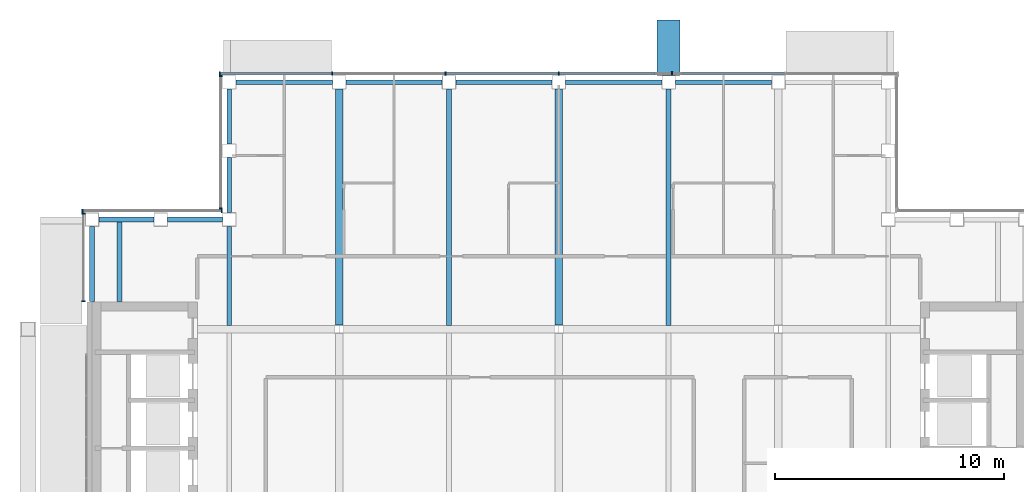
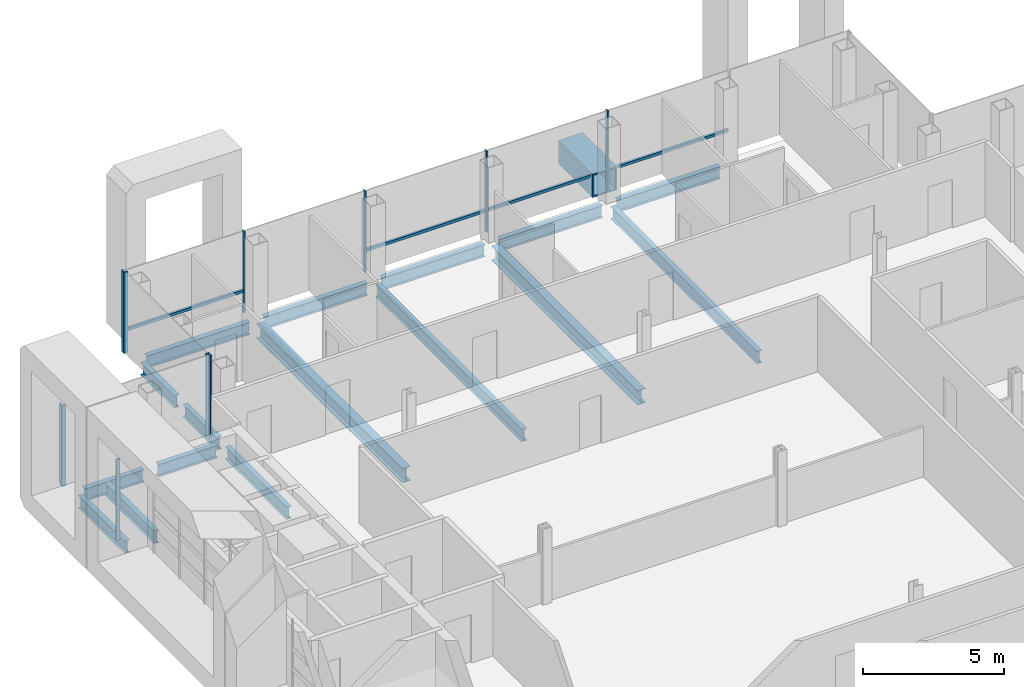
# One storey, part 9 of 23: 17 beams, 15 members, 4 elements without a shape of their own.
"""IFC4 building model written with IfcOpenShell, lengths in metres."""

from ifc_helpers import new_model, si_unit, direction, frame, origin, origin_2d, place, context, subcontext, project, spatial, rectangle, hollow_rectangle, i_section, extrude, material, material_profile, profile_set, type_object, element, aggregate, save


model = new_model("IFC4")

# Units and contexts
model_context = context("Model", 3, precision=1e-05, world=origin(), true_north=direction((0.0, 1.0)))
body_context = subcontext(model_context, "Body", "Model", "MODEL_VIEW")
ifc_project = project(units=[si_unit("LENGTHUNIT", "METRE"), si_unit("AREAUNIT", "SQUARE_METRE"), si_unit("VOLUMEUNIT", "CUBIC_METRE"), si_unit("PLANEANGLEUNIT", "RADIAN"), si_unit("MASSUNIT", "GRAM", prefix="KILO")], contexts=[model_context])

# Site, building, storey
site_placement = place(None, origin())
site = spatial("IfcSite", under=ifc_project, at=site_placement, CompositionType="ELEMENT")
building_placement = place(site_placement, origin())
building = spatial("IfcBuilding", under=site, at=building_placement, Name="Cobrizo Arcos Hotel Tower", CompositionType="ELEMENT")
storey_placement = place(building_placement, frame((0.0, 0.0, 262.0)))
storey = spatial("IfcBuildingStorey", under=building, at=storey_placement, Name="L69", CompositionType="ELEMENT", Elevation=262.0)

# Beam
ifc_material_1 = material(Name="Steel ASTM A572 Grade 50", Category="steel")
ifc_material_profile_1 = material_profile(ifc_material_1, hollow_rectangle(XDim=1.0, YDim=1.0, WallThickness=0.06005859375, at=origin_2d()), Name="BOX 1000X1000X60")
ifc_profile_set_1 = profile_set([ifc_material_profile_1], Name="Steel ASTM A572 Grade 50")
beam_type_1 = type_object("IfcBeamType", Name="BOX 1000X1000X60 brace connector strut", PredefinedType="BEAM", material=ifc_profile_set_1)
beam_1_placement = place(storey_placement, frame((4.800048828125, 20.68994140625, 0.5), z_axis=(0.0, 1.0, 0.0), x_axis=(-1.0, 0.0, 0.0)))
element("IfcBeam", 1, at=beam_1_placement, inside=storey, type_object=beam_type_1, Name="Perimeter brace stub BS1, zone Z5, north face, offset +4.80 m, L69", PredefinedType="BEAM", context=body_context, shape_type="SweptSolid", body=[
    extrude(hollow_rectangle(XDim=1.0, YDim=1.0, WallThickness=0.06005859375, at=origin_2d()), origin(), (0.0, 0.0, 1.0), 2.43017578125),
])

# Curtain wall, members
ifc_material_2 = material(Name="Aluminium 6063-T6 anodised bronze", Category="aluminium")
curtain_wall_type = type_object("IfcCurtainWallType", Name="CW-A guest facade", PredefinedType="NOTDEFINED", material=ifc_material_2)
curtain_wall_1_placement = place(storey_placement, origin())
curtain_wall_1 = element("IfcCurtainWall", 2, at=curtain_wall_1_placement, inside=storey, type_object=curtain_wall_type, Name="CW-A L69 N face", PredefinedType="NOTDEFINED")
ifc_material_profile_2 = material_profile(ifc_material_2, rectangle(XDim=0.14990234375, YDim=0.06005859375, at=origin_2d()), Name="CW-A mullion 150x60")
ifc_profile_set_2 = profile_set([ifc_material_profile_2], Name="Aluminium 6063-T6 anodised bronze")
member_type_1 = type_object("IfcMemberType", Name="CW-A mullion 150x60", PredefinedType="MULLION", material=ifc_profile_set_2)
member_1_placement = place(storey_placement, frame((4.949951171875, 20.77490234375, 0.0), z_axis=(0.0, 0.0, 1.0), x_axis=(0.0, 1.0, 0.0)))
member_1 = element("IfcMember", 3, at=member_1_placement, type_object=member_type_1, Name="CW-A mullion 3", PredefinedType="MULLION", context=body_context, shape_type="SweptSolid", body=[
    extrude(rectangle(XDim=0.14990234375, YDim=0.06005859375, at=origin_2d()), origin(), (0.0, 0.0, 1.0), 3.5),
])
member_2_placement = place(storey_placement, frame((0.0, 20.77490234375, 0.0), z_axis=(0.0, 0.0, 1.0), x_axis=(0.0, 1.0, 0.0)))
member_2 = element("IfcMember", 4, at=member_2_placement, type_object=member_type_1, Name="CW-A mullion 4", PredefinedType="MULLION", context=body_context, shape_type="SweptSolid", body=[
    extrude(rectangle(XDim=0.14990234375, YDim=0.06005859375, at=origin_2d()), origin(), (0.0, 0.0, 1.0), 3.5),
])
member_3_placement = place(storey_placement, frame((-4.949951171875, 20.77490234375, 0.0), z_axis=(0.0, 0.0, 1.0), x_axis=(0.0, 1.0, 0.0)))
member_3 = element("IfcMember", 5, at=member_3_placement, type_object=member_type_1, Name="CW-A mullion 5", PredefinedType="MULLION", context=body_context, shape_type="SweptSolid", body=[
    extrude(rectangle(XDim=0.14990234375, YDim=0.06005859375, at=origin_2d()), origin(), (0.0, 0.0, 1.0), 3.5),
])
member_4_placement = place(storey_placement, frame((-9.89990234375, 20.77490234375, 0.0), z_axis=(0.0, 0.0, 1.0), x_axis=(0.0, 1.0, 0.0)))
member_4 = element("IfcMember", 6, at=member_4_placement, type_object=member_type_1, Name="CW-A mullion 6", PredefinedType="MULLION", context=body_context, shape_type="SweptSolid", body=[
    extrude(rectangle(XDim=0.14990234375, YDim=0.06005859375, at=origin_2d()), origin(), (0.0, 0.0, 1.0), 3.5),
])
member_5_placement = place(storey_placement, frame((-14.820068359375, 20.77490234375, 0.0), z_axis=(0.0, 0.0, 1.0), x_axis=(0.0, 1.0, 0.0)))
member_5 = element("IfcMember", 7, at=member_5_placement, type_object=member_type_1, Name="CW-A mullion 7", PredefinedType="MULLION", context=body_context, shape_type="SweptSolid", body=[
    extrude(rectangle(XDim=0.14990234375, YDim=0.06005859375, at=origin_2d()), origin(), (0.0, 0.0, 1.0), 3.5),
])

curtain_wall_2_placement = place(storey_placement, origin())
curtain_wall_2 = element("IfcCurtainWall", 8, at=curtain_wall_2_placement, inside=storey, type_object=curtain_wall_type, Name="CW-A L69 W face", PredefinedType="NOTDEFINED")
member_6_placement = place(storey_placement, frame((-14.77490234375, 20.669921875, 0.0), z_axis=(0.0, 0.0, 1.0), x_axis=(-1.0, 0.0, 0.0)))
member_6 = element("IfcMember", 9, at=member_6_placement, type_object=member_type_1, Name="CW-A mullion 1", PredefinedType="MULLION", context=body_context, shape_type="SweptSolid", body=[
    extrude(rectangle(XDim=0.14990234375, YDim=0.06005859375, at=origin_2d()), origin(), (0.0, 0.0, 1.0), 3.5),
])
member_7_placement = place(storey_placement, frame((-14.77490234375, 14.8798828125, 0.0), z_axis=(0.0, 0.0, 1.0), x_axis=(-1.0, 0.0, 0.0)))
member_7 = element("IfcMember", 10, at=member_7_placement, type_object=member_type_1, Name="CW-A mullion 2", PredefinedType="MULLION", context=body_context, shape_type="SweptSolid", body=[
    extrude(rectangle(XDim=0.14990234375, YDim=0.06005859375, at=origin_2d()), origin(), (0.0, 0.0, 1.0), 3.5),
])
aggregate(curtain_wall_2, [member_6, member_7])

curtain_wall_3_placement = place(storey_placement, origin())
curtain_wall_3 = element("IfcCurtainWall", 11, at=curtain_wall_3_placement, inside=storey, type_object=curtain_wall_type, Name="CW-A L69 N face", PredefinedType="NOTDEFINED")
member_8_placement = place(storey_placement, frame((-14.72998046875, 14.77490234375, 0.0), z_axis=(0.0, 0.0, 1.0), x_axis=(0.0, 1.0, 0.0)))
member_8 = element("IfcMember", 12, at=member_8_placement, type_object=member_type_1, Name="CW-A mullion 1", PredefinedType="MULLION", context=body_context, shape_type="SweptSolid", body=[
    extrude(rectangle(XDim=0.14990234375, YDim=0.06005859375, at=origin_2d()), origin(), (0.0, 0.0, 1.0), 3.5),
])
member_9_placement = place(storey_placement, frame((-20.820068359375, 14.77490234375, 0.0), z_axis=(0.0, 0.0, 1.0), x_axis=(0.0, 1.0, 0.0)))
member_9 = element("IfcMember", 13, at=member_9_placement, type_object=member_type_1, Name="CW-A mullion 2", PredefinedType="MULLION", context=body_context, shape_type="SweptSolid", body=[
    extrude(rectangle(XDim=0.14990234375, YDim=0.06005859375, at=origin_2d()), origin(), (0.0, 0.0, 1.0), 3.5),
])
aggregate(curtain_wall_3, [member_8, member_9])

curtain_wall_4_placement = place(storey_placement, origin())
curtain_wall_4 = element("IfcCurtainWall", 14, at=curtain_wall_4_placement, inside=storey, type_object=curtain_wall_type, Name="CW-A L69 W face", PredefinedType="NOTDEFINED")
member_10_placement = place(storey_placement, frame((-20.77490234375, 14.669921875, 0.0), z_axis=(0.0, 0.0, 1.0), x_axis=(-1.0, 0.0, 0.0)))
member_10 = element("IfcMember", 15, at=member_10_placement, type_object=member_type_1, Name="CW-A mullion 1", PredefinedType="MULLION", context=body_context, shape_type="SweptSolid", body=[
    extrude(rectangle(XDim=0.14990234375, YDim=0.06005859375, at=origin_2d()), origin(), (0.0, 0.0, 1.0), 3.5),
])
member_11_placement = place(storey_placement, frame((-20.77490234375, 10.830078125, 0.0), z_axis=(0.0, 0.0, 1.0), x_axis=(-1.0, 0.0, 0.0)))
member_11 = element("IfcMember", 16, at=member_11_placement, type_object=member_type_1, Name="CW-A mullion 2", PredefinedType="MULLION", context=body_context, shape_type="SweptSolid", body=[
    extrude(rectangle(XDim=0.14990234375, YDim=0.06005859375, at=origin_2d()), origin(), (0.0, 0.0, 1.0), 3.5),
])
aggregate(curtain_wall_4, [member_10, member_11])

# Member
ifc_material_profile_3 = material_profile(ifc_material_2, rectangle(XDim=0.10009765625, YDim=0.1201171875, at=origin_2d()), Name="CW-A transom 120x100")
ifc_profile_set_3 = profile_set([ifc_material_profile_3], Name="Aluminium 6063-T6 anodised bronze")
member_type_2 = type_object("IfcMemberType", Name="CW-A transom 120x100", PredefinedType="USERDEFINED", material=ifc_profile_set_3)
member_12_placement = place(storey_placement, frame((9.8701171875, 20.77490234375, 0.929931640625), z_axis=(-1.0, 0.0, 0.0), x_axis=(0.0, -1.0, 0.0)))
member_12 = element("IfcMember", 17, at=member_12_placement, type_object=member_type_2, Name="CW-A transom 2169", ObjectType="TRANSOM", PredefinedType="USERDEFINED", context=body_context, shape_type="SweptSolid", body=[
    extrude(rectangle(XDim=0.10009765625, YDim=0.1201171875, at=origin_2d()), origin(), (0.0, 0.0, 1.0), 4.47021484375),
])

member_13_placement = place(storey_placement, frame((4.199951171875, 20.77490234375, 0.929931640625), z_axis=(-1.0, 0.0, 0.0), x_axis=(0.0, -1.0, 0.0)))
member_13 = element("IfcMember", 18, at=member_13_placement, type_object=member_type_2, Name="CW-A transom 2170", ObjectType="TRANSOM", PredefinedType="USERDEFINED", context=body_context, shape_type="SweptSolid", body=[
    extrude(rectangle(XDim=0.10009765625, YDim=0.1201171875, at=origin_2d()), origin(), (0.0, 0.0, 1.0), 4.169921875),
])

member_14_placement = place(storey_placement, frame((-0.030029296875, 20.77490234375, 0.929931640625), z_axis=(-1.0, 0.0, 0.0), x_axis=(0.0, -1.0, 0.0)))
member_14 = element("IfcMember", 19, at=member_14_placement, type_object=member_type_2, Name="CW-A transom 2171", ObjectType="TRANSOM", PredefinedType="USERDEFINED", context=body_context, shape_type="SweptSolid", body=[
    extrude(rectangle(XDim=0.10009765625, YDim=0.1201171875, at=origin_2d()), origin(), (0.0, 0.0, 1.0), 4.889892578125),
])

member_15_placement = place(storey_placement, frame((-9.929931640625, 20.77490234375, 0.929931640625), z_axis=(-1.0, 0.0, 0.0), x_axis=(0.0, -1.0, 0.0)))
member_15 = element("IfcMember", 20, at=member_15_placement, type_object=member_type_2, Name="CW-A transom 2173", ObjectType="TRANSOM", PredefinedType="USERDEFINED", context=body_context, shape_type="SweptSolid", body=[
    extrude(rectangle(XDim=0.10009765625, YDim=0.1201171875, at=origin_2d()), origin(), (0.0, 0.0, 1.0), 4.860107421875),
])

aggregate(curtain_wall_1, [member_1, member_2, member_3, member_4, member_5, member_12, member_13, member_14, member_15])

# Beams
ifc_material_3 = material(Name="Steel ASTM A992 Grade 50", Category="steel")
ifc_material_profile_4 = material_profile(ifc_material_3, i_section(OverallWidth=0.209228515625, OverallDepth=0.533447265625, WebThickness=0.01025390625, FlangeThickness=0.015625, at=origin_2d()), Name="W21X62")
ifc_profile_set_4 = profile_set([ifc_material_profile_4], Name="Steel ASTM A992 Grade 50")
beam_type_2 = type_object("IfcBeamType", Name="W21X62 joist", PredefinedType="JOIST", material=ifc_profile_set_4)
beam_2_placement = place(storey_placement, frame((-19.199951171875, 10.81005859375, -0.416748046875), z_axis=(0.0, 1.0, 0.0), x_axis=(-1.0, 0.0, 0.0)))
element("IfcBeam", 21, at=beam_2_placement, inside=storey, type_object=beam_type_2, Name="Floor joist J1, L69, no. 002", PredefinedType="JOIST", context=body_context, shape_type="SweptSolid", body=[
    extrude(i_section(OverallWidth=0.209228515625, OverallDepth=0.533447265625, WebThickness=0.01025390625, FlangeThickness=0.015625, at=origin_2d()), origin(), (0.0, 0.0, 1.0), 3.5),
])
beam_3_placement = place(storey_placement, frame((-14.39990234375, 9.763916015625, -0.416748046875), z_axis=(0.0, 1.0, 0.0), x_axis=(-1.0, 0.0, 0.0)))
element("IfcBeam", 22, at=beam_3_placement, inside=storey, type_object=beam_type_2, Name="Floor joist J1, L69, no. 006", PredefinedType="JOIST", context=body_context, shape_type="SweptSolid", body=[
    extrude(i_section(OverallWidth=0.209228515625, OverallDepth=0.533447265625, WebThickness=0.01025390625, FlangeThickness=0.015625, at=origin_2d()), origin(), (0.0, 0.0, 1.0), 4.336181640625),
])
for number, where, z_axis, x_axis, name in (
    (23, (-4.800048828125, 9.763916015625, -0.416748046875), (0.0, 1.0, 0.0), (-1.0, 0.0, 0.0), "Floor joist J1, L69, no. 010"),
    (24, (4.800048828125, 9.763916015625, -0.416748046875), (0.0, 1.0, 0.0), (-1.0, 0.0, 0.0), "Floor joist J1, L69, no. 014"),
):
    element("IfcBeam", number, at=place(storey_placement, frame(where, z_axis=z_axis, x_axis=x_axis)), inside=storey, type_object=beam_type_2, Name=name, PredefinedType="JOIST", context=body_context, shape_type="SweptSolid", body=[
        extrude(i_section(OverallWidth=0.209228515625, OverallDepth=0.533447265625, WebThickness=0.01025390625, FlangeThickness=0.015625, at=origin_2d()), origin(), (0.0, 0.0, 1.0), 10.336181640625),
    ])
ifc_material_profile_5 = material_profile(ifc_material_3, i_section(OverallWidth=0.209228515625, OverallDepth=0.533447265625, WebThickness=0.01025390625, FlangeThickness=0.015625, at=origin_2d()), Name="W21X62")
ifc_profile_set_5 = profile_set([ifc_material_profile_5], Name="Steel ASTM A992 Grade 50")
beam_type_3 = type_object("IfcBeamType", Name="W21X62 spandrel", PredefinedType="SPANDREL", material=ifc_profile_set_5)
for number, where, z_axis, x_axis, name in (
    (25, (9.300048828125, 20.39990234375, -0.416748046875), (-1.0, 0.0, 0.0), (0.0, -1.0, 0.0), "Spandrel beam W21X62, L69, no. 018"),
    (26, (4.5, 20.39990234375, -0.416748046875), (-1.0, 0.0, 0.0), (0.0, -1.0, 0.0), "Spandrel beam W21X62, L69, no. 019"),
    (27, (-0.300048828125, 20.39990234375, -0.416748046875), (-1.0, 0.0, 0.0), (0.0, -1.0, 0.0), "Spandrel beam W21X62, L69, no. 020"),
    (28, (-5.10009765625, 20.39990234375, -0.416748046875), (-1.0, 0.0, 0.0), (0.0, -1.0, 0.0), "Spandrel beam W21X62, L69, no. 021"),
):
    element("IfcBeam", number, at=place(storey_placement, frame(where, z_axis=z_axis, x_axis=x_axis)), inside=storey, type_object=beam_type_3, Name=name, PredefinedType="SPANDREL", context=body_context, shape_type="SweptSolid", body=[
        extrude(i_section(OverallWidth=0.209228515625, OverallDepth=0.533447265625, WebThickness=0.01025390625, FlangeThickness=0.015625, at=origin_2d()), origin(), (0.0, 0.0, 1.0), 4.199951171875),
    ])
beam_4_placement = place(storey_placement, frame((-9.89990234375, 20.39990234375, -0.416748046875), z_axis=(-1.0, 0.0, 0.0), x_axis=(0.0, -1.0, 0.0)))
element("IfcBeam", 29, at=beam_4_placement, inside=storey, type_object=beam_type_3, Name="Spandrel beam W21X62, L69, no. 022", PredefinedType="SPANDREL", context=body_context, shape_type="SweptSolid", body=[
    extrude(i_section(OverallWidth=0.209228515625, OverallDepth=0.533447265625, WebThickness=0.01025390625, FlangeThickness=0.015625, at=origin_2d()), origin(), (0.0, 0.0, 1.0), 4.2001953125),
])
for number, where, z_axis, x_axis, name in (
    (30, (-14.39990234375, 20.10009765625, -0.416748046875), (0.0, -1.0, 0.0), (1.0, 0.0, 0.0), "Spandrel beam W21X62, L69, no. 023"),
    (31, (-14.39990234375, 17.10009765625, -0.416748046875), (0.0, -1.0, 0.0), (1.0, 0.0, 0.0), "Spandrel beam W21X62, L69, no. 024"),
    (32, (-14.699951171875, 14.39990234375, -0.416748046875), (-1.0, 0.0, 0.0), (0.0, -1.0, 0.0), "Spandrel beam W21X62, L69, no. 025"),
    (33, (-17.699951171875, 14.39990234375, -0.416748046875), (-1.0, 0.0, 0.0), (0.0, -1.0, 0.0), "Spandrel beam W21X62, L69, no. 026"),
):
    element("IfcBeam", number, at=place(storey_placement, frame(where, z_axis=z_axis, x_axis=x_axis)), inside=storey, type_object=beam_type_3, Name=name, PredefinedType="SPANDREL", context=body_context, shape_type="SweptSolid", body=[
        extrude(i_section(OverallWidth=0.209228515625, OverallDepth=0.533447265625, WebThickness=0.01025390625, FlangeThickness=0.015625, at=origin_2d()), origin(), (0.0, 0.0, 1.0), 2.400146484375),
    ])
beam_5_placement = place(storey_placement, frame((-20.39990234375, 14.10009765625, -0.416748046875), z_axis=(0.0, -1.0, 0.0), x_axis=(1.0, 0.0, 0.0)))
element("IfcBeam", 34, at=beam_5_placement, inside=storey, type_object=beam_type_3, Name="Spandrel beam W21X62, L69, no. 027", PredefinedType="SPANDREL", context=body_context, shape_type="SweptSolid", body=[
    extrude(i_section(OverallWidth=0.209228515625, OverallDepth=0.533447265625, WebThickness=0.01025390625, FlangeThickness=0.015625, at=origin_2d()), origin(), (0.0, 0.0, 1.0), 3.2900390625),
])
ifc_material_profile_6 = material_profile(ifc_material_3, i_section(OverallWidth=0.32763671875, OverallDepth=0.622314453125, WebThickness=0.015380859375, FlangeThickness=0.0244140625, at=origin_2d()), Name="W24X131")
ifc_profile_set_6 = profile_set([ifc_material_profile_6], Name="Steel ASTM A992 Grade 50")
beam_type_4 = type_object("IfcBeamType", Name="W24X131 girder", PredefinedType="BEAM", material=ifc_profile_set_6)
for number, where, z_axis, x_axis, name in (
    (35, (-9.60009765625, 9.7841796875, -0.461181640625), (0.0, 1.0, 0.0), (-1.0, 0.0, 0.0), "Floor girder G1, L69, no. 016"),
    (36, (0.0, 9.7841796875, -0.461181640625), (0.0, 1.0, 0.0), (-1.0, 0.0, 0.0), "Floor girder G1, L69, no. 020"),
):
    element("IfcBeam", number, at=place(storey_placement, frame(where, z_axis=z_axis, x_axis=x_axis)), inside=storey, type_object=beam_type_4, Name=name, PredefinedType="BEAM", context=body_context, shape_type="SweptSolid", body=[
        extrude(i_section(OverallWidth=0.32763671875, OverallDepth=0.622314453125, WebThickness=0.015380859375, FlangeThickness=0.0244140625, at=origin_2d()), origin(), (0.0, 0.0, 1.0), 10.31591796875),
    ])

save(model, "model.ifc")
